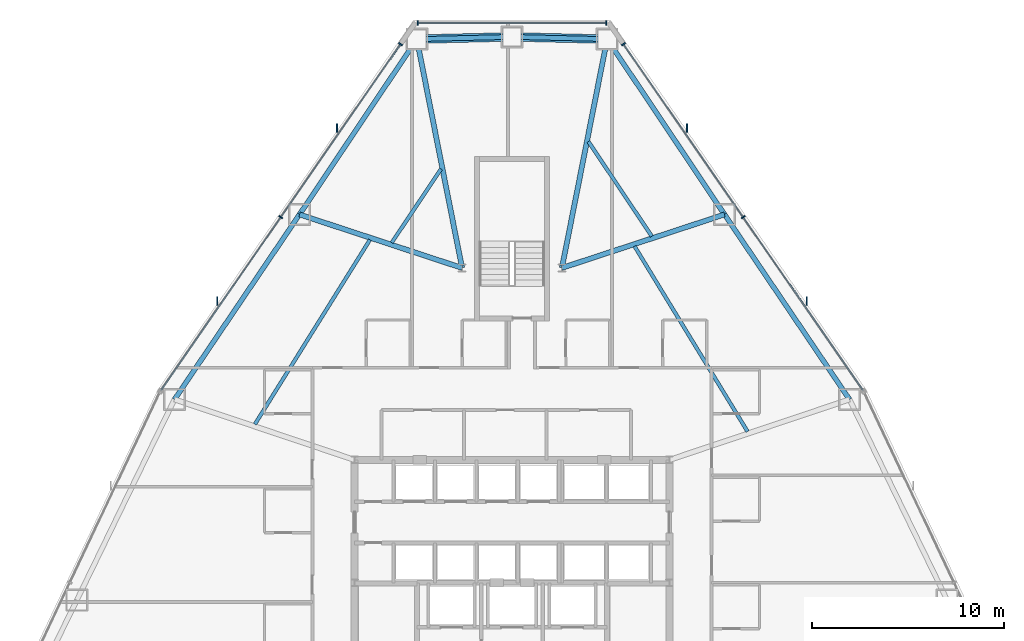
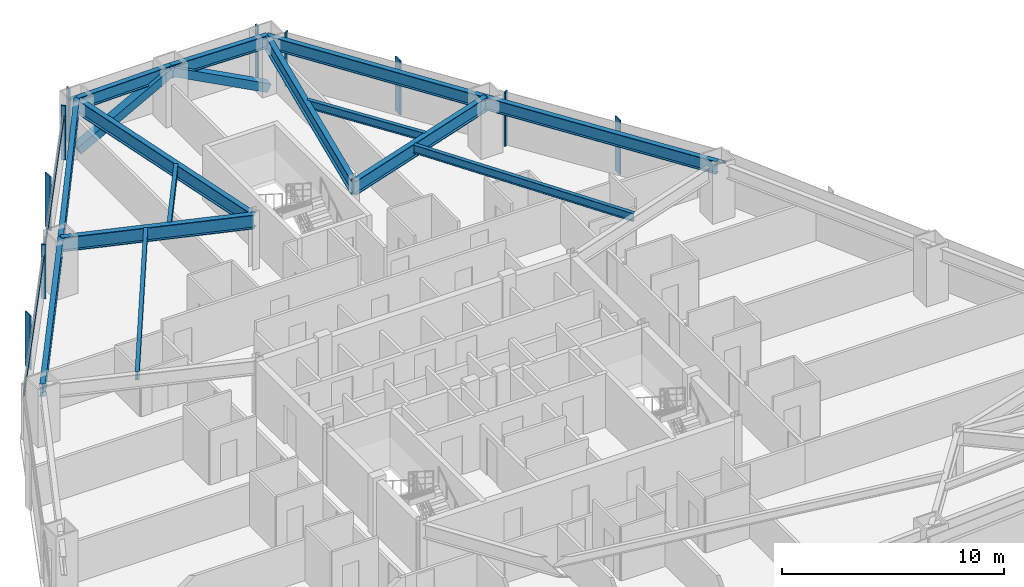
# One storey, part 7 of 13: 15 members, 14 beams, 3 elements without a shape of their own.
"""IFC4 building model written with IfcOpenShell, lengths in metres."""

from ifc_helpers import new_model, si_unit, direction, frame, origin, origin_2d, place, context, subcontext, project, spatial, rectangle, hollow_rectangle, i_section, extrude, source, transform, mapped, material, layer, layer_set, material_profile, profile_set, type_object, type_shapes, element, aggregate, save


model = new_model("IFC4")

# Units and contexts
model_context = context("Model", 3, precision=1e-05, world=origin(), true_north=direction((0.0, 1.0)))
body_context = subcontext(model_context, "Body", "Model", "MODEL_VIEW")
ifc_project = project(units=[si_unit("LENGTHUNIT", "METRE"), si_unit("AREAUNIT", "SQUARE_METRE"), si_unit("VOLUMEUNIT", "CUBIC_METRE"), si_unit("PLANEANGLEUNIT", "RADIAN"), si_unit("MASSUNIT", "GRAM", prefix="KILO")], contexts=[model_context])

# Site, building, storey
site_placement = place(None, origin())
site = spatial("IfcSite", under=ifc_project, at=site_placement, CompositionType="ELEMENT")
building_placement = place(site_placement, origin())
building = spatial("IfcBuilding", under=site, at=building_placement, Name="Varakhsha Concourse Tower", CompositionType="ELEMENT")
storey_placement = place(building_placement, frame((0.0, 0.0, 52.800048828125)))
storey = spatial("IfcBuildingStorey", under=building, at=storey_placement, Name="L14", CompositionType="ELEMENT", Elevation=52.800048828125)

# Beams
ifc_material_1 = material(Name="Structural Steel ASTM A992 Grade 50", Category="steel")
ifc_material_profile_1 = material_profile(ifc_material_1, i_section(OverallWidth=0.26611328125, OverallDepth=0.779052734375, WebThickness=0.01708984375, FlangeThickness=0.030029296875, at=origin_2d()), Name="W30X148")
ifc_profile_set_1 = profile_set([ifc_material_profile_1], Name="Structural Steel ASTM A992 Grade 50")
beam_type_1 = type_object("IfcBeamType", Name="BM-BASE-W30X148", PredefinedType="USERDEFINED", material=ifc_profile_set_1)
for number, where, z_axis, x_axis, name in (
    (1, (42.60009765625, 41.199951171875, 2.59033203125), (0.194017518597, 0.980998064462, 0.0), (-0.980998064462, 0.194017518597, 0.0), "L14 Radial Floor Girder 01"),
    (2, (37.39990234375, 41.199951171875, 2.59033203125), (-0.194017518597, 0.980998064462, 0.0), (-0.980998064462, -0.194017518597, 0.0), "L14 Radial Floor Girder 03"),
):
    element("IfcBeam", number, at=place(storey_placement, frame(where, z_axis=z_axis, x_axis=x_axis)), inside=storey, type_object=beam_type_1, Name=name, ObjectType="GIRDER", PredefinedType="USERDEFINED", context=body_context, shape_type="SweptSolid", body=[
        extrude(i_section(OverallWidth=0.26611328125, OverallDepth=0.779052734375, WebThickness=0.01708984375, FlangeThickness=0.030029296875, at=origin_2d()), origin(), (0.0, 0.0, 1.0), 12.150634765625),
    ])
for number, where, z_axis, x_axis, name in (
    (3, (37.39990234375, 41.199951171875, 2.59033203125), (-0.949919158928, 0.312495746373, 0.0), (-0.312495746373, -0.949919158928, 0.0), "L14 Radial Floor Girder 04"),
    (4, (42.60009765625, 41.199951171875, 2.59033203125), (0.949919158928, 0.312495746373, 0.0), (-0.312495746373, 0.949919158928, 0.0), "L14 Radial Floor Girder 18"),
):
    element("IfcBeam", number, at=place(storey_placement, frame(where, z_axis=z_axis, x_axis=x_axis)), inside=storey, type_object=beam_type_1, Name=name, ObjectType="GIRDER", PredefinedType="USERDEFINED", context=body_context, shape_type="SweptSolid", body=[
        extrude(i_section(OverallWidth=0.26611328125, OverallDepth=0.779052734375, WebThickness=0.01708984375, FlangeThickness=0.030029296875, at=origin_2d()), origin(), (0.0, 0.0, 1.0), 8.915771484375),
    ])
ifc_material_profile_2 = material_profile(ifc_material_1, i_section(OverallWidth=0.19091796875, OverallDepth=0.45703125, WebThickness=0.009033203125, FlangeThickness=0.013916015625, at=origin_2d()), Name="W18X50")
ifc_profile_set_2 = profile_set([ifc_material_profile_2], Name="Structural Steel ASTM A992 Grade 50")
beam_type_2 = type_object("IfcBeamType", Name="BM-JST-W18X50", PredefinedType="JOIST", material=ifc_profile_set_2)
beam_1_placement = place(storey_placement, frame((36.301513671875, 46.353271484375, 2.75146484375), z_axis=(-0.556139741042, -0.831088796961, 0.0), x_axis=(0.831088796961, -0.556139741042, 0.0)))
element("IfcBeam", 5, at=beam_1_placement, inside=storey, type_object=beam_type_2, Name="BM-TJST-L14-03", PredefinedType="JOIST", context=body_context, shape_type="SweptSolid", body=[
    extrude(i_section(OverallWidth=0.19091796875, OverallDepth=0.45703125, WebThickness=0.009033203125, FlangeThickness=0.013916015625, at=origin_2d()), origin(), (0.0, 0.0, 1.0), 4.615478515625),
])
beam_2_placement = place(storey_placement, frame((32.598876953125, 42.666748046875, 2.75146484375), z_axis=(-0.529264354288, -0.84845697786, 0.0), x_axis=(0.84845697786, -0.529264354288, 0.0)))
element("IfcBeam", 6, at=beam_2_placement, inside=storey, type_object=beam_type_2, Name="BM-TJST-L14-04", PredefinedType="JOIST", context=body_context, shape_type="SweptSolid", body=[
    extrude(i_section(OverallWidth=0.19091796875, OverallDepth=0.45703125, WebThickness=0.009033203125, FlangeThickness=0.013916015625, at=origin_2d()), origin(), (0.0, 0.0, 1.0), 11.325439453125),
])
beam_3_placement = place(storey_placement, frame((52.2705078125, 32.68017578125, 2.75146484375), z_axis=(-0.520709938116, 0.853733658905, 0.0), x_axis=(-0.853733658905, -0.520709938116, 0.0)))
element("IfcBeam", 7, at=beam_3_placement, inside=storey, type_object=beam_type_2, Name="BM-TJST-L14-17", PredefinedType="JOIST", context=body_context, shape_type="SweptSolid", body=[
    extrude(i_section(OverallWidth=0.19091796875, OverallDepth=0.45703125, WebThickness=0.009033203125, FlangeThickness=0.013916015625, at=origin_2d()), origin(), (0.0, 0.0, 1.0), 11.30517578125),
])
beam_4_placement = place(storey_placement, frame((47.28173828125, 42.8515625, 2.75146484375), z_axis=(-0.556123442596, 0.831099703161, 0.0), x_axis=(-0.831099703161, -0.556123442596, 0.0)))
element("IfcBeam", 8, at=beam_4_placement, inside=storey, type_object=beam_type_2, Name="BM-TJST-L14-18", PredefinedType="JOIST", context=body_context, shape_type="SweptSolid", body=[
    extrude(i_section(OverallWidth=0.19091796875, OverallDepth=0.45703125, WebThickness=0.009033203125, FlangeThickness=0.013916015625, at=origin_2d()), origin(), (0.0, 0.0, 1.0), 5.9345703125),
])
ifc_material_profile_3 = material_profile(ifc_material_1, i_section(OverallWidth=0.25390625, OverallDepth=0.701904296875, WebThickness=0.014892578125, FlangeThickness=0.028076171875, at=origin_2d()), Name="W27X129")
ifc_profile_set_3 = profile_set([ifc_material_profile_3], Name="Structural Steel ASTM A992 Grade 50")
beam_type_3 = type_object("IfcBeamType", Name="BM-SPAN-W27X129", PredefinedType="SPANDREL", material=ifc_profile_set_3)
for number, where, z_axis, x_axis, name in (
    (9, (44.95751953125, 53.11962890625, 2.62890625), (-0.999719567284, 0.023680937253, 0.0), (-0.023680937253, -0.999719567284, 0.0), "BM-SPAN-L14-01"),
    (10, (40.0, 53.237060546875, 2.62890625), (-0.999719567284, -0.023680937253, 0.0), (0.023680937253, -0.999719567284, 0.0), "BM-SPAN-L14-02"),
):
    element("IfcBeam", number, at=place(storey_placement, frame(where, z_axis=z_axis, x_axis=x_axis)), inside=storey, type_object=beam_type_3, Name=name, PredefinedType="SPANDREL", context=body_context, shape_type="SweptSolid", body=[
        extrude(i_section(OverallWidth=0.25390625, OverallDepth=0.701904296875, WebThickness=0.014892578125, FlangeThickness=0.028076171875, at=origin_2d()), origin(), (0.0, 0.0, 1.0), 4.958984375),
    ])
beam_5_placement = place(storey_placement, frame((35.04248046875, 53.11962890625, 2.62890625), z_axis=(-0.556134813148, -0.831092094539, 0.0), x_axis=(0.831092094539, -0.556134813148, 0.0)))
element("IfcBeam", 11, at=beam_5_placement, inside=storey, type_object=beam_type_3, Name="BM-SPAN-L14-03", PredefinedType="SPANDREL", context=body_context, shape_type="SweptSolid", body=[
    extrude(i_section(OverallWidth=0.25390625, OverallDepth=0.701904296875, WebThickness=0.014892578125, FlangeThickness=0.028076171875, at=origin_2d()), origin(), (0.0, 0.0, 1.0), 10.98974609375),
])
for number, where, z_axis, x_axis, name in (
    (12, (28.9306640625, 43.986083984375, 2.62890625), (-0.559921293573, -0.828545801392, 0.0), (0.828545801392, -0.559921293573, 0.0), "BM-SPAN-L14-04"),
    (13, (57.5810546875, 34.350341796875, 2.62890625), (-0.559921293573, 0.828545801392, 0.0), (-0.828545801392, -0.559921293573, 0.0), "BM-SPAN-L14-17"),
):
    element("IfcBeam", number, at=place(storey_placement, frame(where, z_axis=z_axis, x_axis=x_axis)), inside=storey, type_object=beam_type_3, Name=name, PredefinedType="SPANDREL", context=body_context, shape_type="SweptSolid", body=[
        extrude(i_section(OverallWidth=0.25390625, OverallDepth=0.701904296875, WebThickness=0.014892578125, FlangeThickness=0.028076171875, at=origin_2d()), origin(), (0.0, 0.0, 1.0), 11.629638671875),
    ])
beam_6_placement = place(storey_placement, frame((51.0693359375, 43.986083984375, 2.62890625), z_axis=(-0.556134813148, 0.831092094539, 0.0), x_axis=(-0.831092094539, -0.556134813148, 0.0)))
element("IfcBeam", 14, at=beam_6_placement, inside=storey, type_object=beam_type_3, Name="BM-SPAN-L14-18", PredefinedType="SPANDREL", context=body_context, shape_type="SweptSolid", body=[
    extrude(i_section(OverallWidth=0.25390625, OverallDepth=0.701904296875, WebThickness=0.014892578125, FlangeThickness=0.028076171875, at=origin_2d()), origin(), (0.0, 0.0, 1.0), 10.98974609375),
])

# Members
ifc_material_2 = material(Name="Structural Steel ASTM A500 Grade C", Category="steel")
ifc_material_profile_4 = material_profile(ifc_material_2, hollow_rectangle(XDim=0.449951171875, YDim=0.449951171875, WallThickness=0.01904296875, at=origin_2d()), Name="HSS 450x450x19")
ifc_profile_set_4 = profile_set([ifc_material_profile_4], Name="Structural Steel ASTM A500 Grade C")
member_type_1 = type_object("IfcMemberType", Name="MB-TUBE-HSS450", PredefinedType="BRACE", material=ifc_profile_set_4)
shared_shape_1 = source(origin(), body_context, "Body", "SweptSolid", [
    extrude(hollow_rectangle(XDim=0.449951171875, YDim=0.449951171875, WallThickness=0.01904296875, at=origin_2d()), origin(), (0.0, 0.0, 1.0), 5.580810546875),
])
type_shapes(member_type_1, [shared_shape_1])
for number, where, z_axis, x_axis, name in (
    (15, (44.95751953125, 53.11962890625, 0.119873046875), (-0.88832610947, 0.021042295807, 0.458730797986), (-0.023680937253, -0.999719567284, 0.0), "L14 Wind-Corner Tube Brace B01"),
    (16, (35.04248046875, 53.11962890625, 0.119873046875), (0.88832610947, 0.021042295807, 0.458730797986), (-0.023680937253, 0.999719567284, 0.0), "L14 Wind-Corner Tube Brace B02"),
):
    element("IfcMember", number, at=place(storey_placement, frame(where, z_axis=z_axis, x_axis=x_axis)), inside=storey, type_object=member_type_1, Name=name, PredefinedType="BRACE", context=body_context, shape_type="MappedRepresentation", body=[
        mapped(shared_shape_1, transform((0.0, 0.0, 0.0), scale=1.0)),
    ])

# Curtain wall, members
ifc_material_3 = material(Name="Anodised Bronze Architectural Aluminium AA 6063-T6", Category="aluminium")
ifc_layer = layer(ifc_material_3, 0.219970703125, Name="CW-SYS-02")
ifc_layer_set = layer_set([ifc_layer], Name="Anodised Bronze Architectural Aluminium AA 6063-T6")
curtain_wall_type = type_object("IfcCurtainWallType", Name="CW-SYS-02", PredefinedType="NOTDEFINED", material=ifc_layer_set)
curtain_wall_1_placement = place(storey_placement, origin())
curtain_wall_1 = element("IfcCurtainWall", 17, at=curtain_wall_1_placement, inside=storey, type_object=curtain_wall_type, Name="L14 Chamfer Curtain Wall F1", PredefinedType="NOTDEFINED")
ifc_material_profile_5 = material_profile(ifc_material_3, rectangle(XDim=0.074951171875, YDim=0.219970703125, at=origin_2d()), Name="CWM-220X75")
ifc_profile_set_5 = profile_set([ifc_material_profile_5], Name="Anodised Bronze Architectural Aluminium AA 6063-T6")
member_type_2 = type_object("IfcMemberType", Name="CWM-220X75", PredefinedType="MULLION", material=ifc_profile_set_5)
shared_shape_2 = source(origin(), body_context, "Body", "SweptSolid", [
    extrude(rectangle(XDim=0.074951171875, YDim=0.219970703125, at=origin_2d()), origin(), (0.0, 0.0, 1.0), 2.97998046875),
])
type_shapes(member_type_2, [shared_shape_2])
member_1_placement = place(storey_placement, frame((35.091552734375, 53.95703125, 0.0), z_axis=(0.0, 0.0, 1.0), x_axis=(1.0, 0.0, 0.0)))
member_1 = element("IfcMember", 18, at=member_1_placement, type_object=member_type_2, Name="CW-L14-F1 Mullion 00", PredefinedType="MULLION", context=body_context, shape_type="MappedRepresentation", body=[
    mapped(shared_shape_2, transform((0.0, 0.0, 0.0), scale=1.0)),
])
member_2_placement = place(storey_placement, frame((44.908447265625, 53.95703125, 0.0), z_axis=(0.0, 0.0, 1.0), x_axis=(1.0, 0.0, 0.0)))
member_2 = element("IfcMember", 19, at=member_2_placement, type_object=member_type_2, Name="CW-L14-F1 Mullion 01", PredefinedType="MULLION", context=body_context, shape_type="MappedRepresentation", body=[
    mapped(shared_shape_2, transform((0.0, 0.0, 0.0), scale=1.0)),
])

curtain_wall_2_placement = place(storey_placement, origin())
curtain_wall_2 = element("IfcCurtainWall", 20, at=curtain_wall_2_placement, inside=storey, type_object=curtain_wall_type, Name="L14 Crystal Curtain Wall F2", PredefinedType="NOTDEFINED")
member_3_placement = place(storey_placement, frame((27.957275390625, 43.844482421875, 0.0), z_axis=(0.0, 0.0, 1.0), x_axis=(0.569057091236, 0.822298015877, 0.0)))
member_3 = element("IfcMember", 21, at=member_3_placement, type_object=member_type_2, Name="CW-L14-F2 Mullion 01", PredefinedType="MULLION", context=body_context, shape_type="MappedRepresentation", body=[
    mapped(shared_shape_2, transform((0.0, 0.0, 0.0), scale=1.0)),
])
member_4_placement = place(storey_placement, frame((34.195068359375, 52.8583984375, 0.0), z_axis=(0.0, 0.0, 1.0), x_axis=(0.569057091236, 0.822298015877, 0.0)))
member_4 = element("IfcMember", 22, at=member_4_placement, type_object=member_type_2, Name="CW-L14-F2 Mullion 02", PredefinedType="MULLION", context=body_context, shape_type="MappedRepresentation", body=[
    mapped(shared_shape_2, transform((0.0, 0.0, 0.0), scale=1.0)),
])

curtain_wall_3_placement = place(storey_placement, origin())
curtain_wall_3 = element("IfcCurtainWall", 23, at=curtain_wall_3_placement, inside=storey, type_object=curtain_wall_type, Name="L14 Crystal Curtain Wall F9", PredefinedType="NOTDEFINED")
member_5_placement = place(storey_placement, frame((45.804931640625, 52.8583984375, 0.0), z_axis=(0.0, 0.0, 1.0), x_axis=(0.569057091236, -0.822298015877, 0.0)))
member_5 = element("IfcMember", 24, at=member_5_placement, type_object=member_type_2, Name="CW-L14-F9 Mullion 00", PredefinedType="MULLION", context=body_context, shape_type="MappedRepresentation", body=[
    mapped(shared_shape_2, transform((0.0, 0.0, 0.0), scale=1.0)),
])
member_6_placement = place(storey_placement, frame((52.042724609375, 43.8447265625, 0.0), z_axis=(0.0, 0.0, 1.0), x_axis=(0.569057091236, -0.822298015877, 0.0)))
member_6 = element("IfcMember", 25, at=member_6_placement, type_object=member_type_2, Name="CW-L14-F9 Mullion 01", PredefinedType="MULLION", context=body_context, shape_type="MappedRepresentation", body=[
    mapped(shared_shape_2, transform((0.0, 0.0, 0.0), scale=1.0)),
])

# Member
ifc_material_profile_6 = material_profile(ifc_material_3, rectangle(XDim=0.06494140625, YDim=0.449951171875, at=origin_2d()), Name="FIN-BRZ-450")
ifc_profile_set_6 = profile_set([ifc_material_profile_6], Name="Anodised Bronze Architectural Aluminium AA 6063-T6")
member_type_3 = type_object("IfcMemberType", Name="FIN-BRZ-450", PredefinedType="USERDEFINED", material=ifc_profile_set_6)
shared_shape_3 = source(origin(), body_context, "Body", "SweptSolid", [
    extrude(rectangle(XDim=0.06494140625, YDim=0.449951171875, at=origin_2d()), origin(), (0.0, 0.0, 1.0), 2.97998046875),
])
type_shapes(member_type_3, [shared_shape_3])
member_7_placement = place(storey_placement, frame((24.64111328125, 39.474609375, 0.0), z_axis=(0.0, 0.0, 1.0), x_axis=(1.0, 0.0, 0.0)))
member_7 = element("IfcMember", 26, at=member_7_placement, type_object=member_type_3, Name="L14 Anodised Bronze Solar Fin F2-1", ObjectType="SOLAR FIN", PredefinedType="USERDEFINED", context=body_context, shape_type="MappedRepresentation", body=[
    mapped(shared_shape_3, transform((0.0, 0.0, 0.0), scale=1.0)),
])

member_8_placement = place(storey_placement, frame((30.87890625, 48.488037109375, 0.0), z_axis=(0.0, 0.0, 1.0), x_axis=(1.0, 0.0, 0.0)))
member_8 = element("IfcMember", 27, at=member_8_placement, type_object=member_type_3, Name="L14 Anodised Bronze Solar Fin F2-2", ObjectType="SOLAR FIN", PredefinedType="USERDEFINED", context=body_context, shape_type="MappedRepresentation", body=[
    mapped(shared_shape_3, transform((0.0, 0.0, 0.0), scale=1.0)),
])

member_9_placement = place(storey_placement, frame((49.12109375, 48.488037109375, 0.0), z_axis=(0.0, 0.0, 1.0), x_axis=(1.0, 0.0, 0.0)))
member_9 = element("IfcMember", 28, at=member_9_placement, type_object=member_type_3, Name="L14 Anodised Bronze Solar Fin F9-1", ObjectType="SOLAR FIN", PredefinedType="USERDEFINED", context=body_context, shape_type="MappedRepresentation", body=[
    mapped(shared_shape_3, transform((0.0, 0.0, 0.0), scale=1.0)),
])

member_10_placement = place(storey_placement, frame((55.35888671875, 39.474609375, 0.0), z_axis=(0.0, 0.0, 1.0), x_axis=(1.0, 0.0, 0.0)))
member_10 = element("IfcMember", 29, at=member_10_placement, type_object=member_type_3, Name="L14 Anodised Bronze Solar Fin F9-2", ObjectType="SOLAR FIN", PredefinedType="USERDEFINED", context=body_context, shape_type="MappedRepresentation", body=[
    mapped(shared_shape_3, transform((0.0, 0.0, 0.0), scale=1.0)),
])

ifc_material_profile_7 = material_profile(ifc_material_3, rectangle(XDim=0.06494140625, YDim=0.159912109375, at=origin_2d()), Name="CWT-160X65")
ifc_profile_set_7 = profile_set([ifc_material_profile_7], Name="Anodised Bronze Architectural Aluminium AA 6063-T6")
member_type_4 = type_object("IfcMemberType", Name="CWT-160X65", PredefinedType="USERDEFINED", material=ifc_profile_set_7)
shared_shape_4 = source(origin(), body_context, "Body", "SweptSolid", [
    extrude(rectangle(XDim=0.06494140625, YDim=0.159912109375, at=origin_2d()), origin(), (0.0, 0.0, 1.0), 9.81689453125),
])
member_11_placement = place(storey_placement, frame((35.091552734375, 53.95703125, 2.329833984375), z_axis=(1.0, 0.0, 0.0), x_axis=(0.0, 1.0, 0.0)))
member_11 = element("IfcMember", 30, at=member_11_placement, type_object=member_type_4, Name="CW-L14-F1 Transom 01", ObjectType="TRANSOM", PredefinedType="USERDEFINED", context=body_context, shape_type="MappedRepresentation", body=[
    mapped(shared_shape_4, transform((0.0, 0.0, 0.0), scale=1.0)),
])

aggregate(curtain_wall_1, [member_1, member_2, member_11])

shared_shape_5 = source(origin(), body_context, "Body", "SweptSolid", [
    extrude(rectangle(XDim=0.06494140625, YDim=0.159912109375, at=origin_2d()), origin(), (0.0, 0.0, 1.0), 21.923095703125),
])
type_shapes(member_type_4, [shared_shape_4, shared_shape_5])
member_12_placement = place(storey_placement, frame((21.719482421875, 34.8310546875, 2.329833984375), z_axis=(0.569059407971, 0.822296412615, 0.0), x_axis=(-0.822296412615, 0.569059407971, 0.0)))
member_12 = element("IfcMember", 31, at=member_12_placement, type_object=member_type_4, Name="CW-L14-F2 Transom 01", ObjectType="TRANSOM", PredefinedType="USERDEFINED", context=body_context, shape_type="MappedRepresentation", body=[
    mapped(shared_shape_5, transform((0.0, 0.0, 0.0), scale=1.0)),
])

aggregate(curtain_wall_2, [member_3, member_4, member_12, member_7, member_8])

member_13_placement = place(storey_placement, frame((45.804931640625, 52.8583984375, 2.329833984375), z_axis=(0.569059407971, -0.822296412615, 0.0), x_axis=(0.822296412615, 0.569059407971, 0.0)))
member_13 = element("IfcMember", 32, at=member_13_placement, type_object=member_type_4, Name="CW-L14-F9 Transom 01", ObjectType="TRANSOM", PredefinedType="USERDEFINED", context=body_context, shape_type="MappedRepresentation", body=[
    mapped(shared_shape_5, transform((0.0, 0.0, 0.0), scale=1.0)),
])

aggregate(curtain_wall_3, [member_5, member_6, member_13, member_9, member_10])

save(model, "model.ifc")
